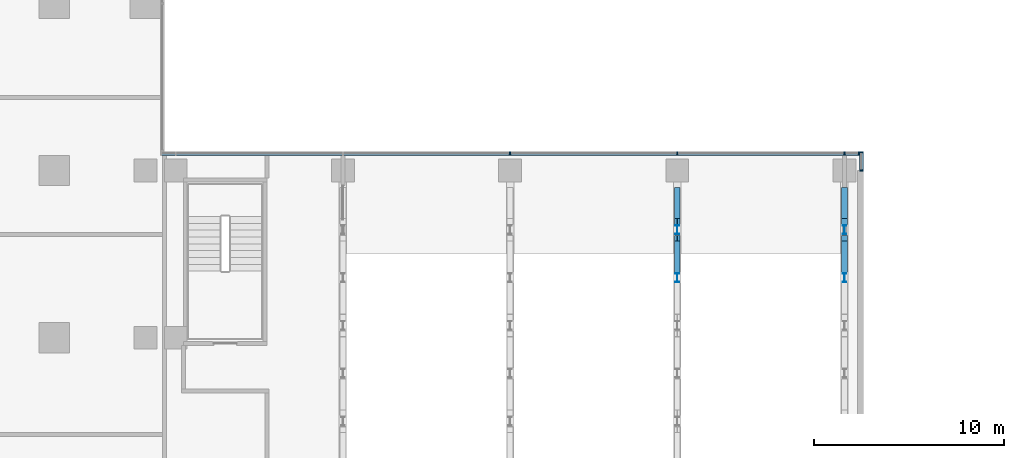
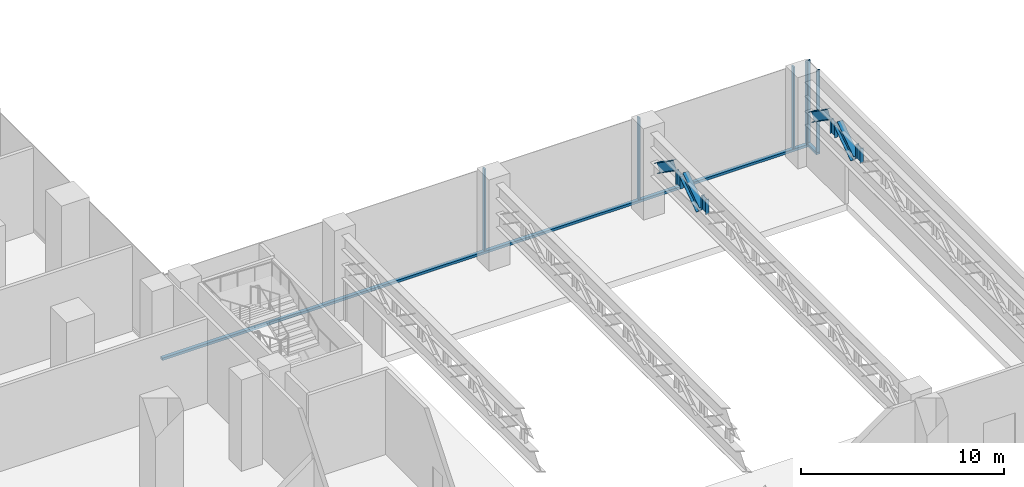
# One storey, part 9 of 30: 16 members, 2 elements without a shape of their own.
"""IFC4 building model written with IfcOpenShell, lengths in metres."""

from ifc_helpers import new_model, si_unit, direction, frame, origin, origin_2d, place, context, subcontext, project, spatial, rectangle, i_section, extrude, source, transform, mapped, material, material_profile, profile_set, type_object, element, aggregate, save


model = new_model("IFC4")

# Units and contexts
model_context = context("Model", 3, precision=1e-05, world=origin(), true_north=direction((0.0, 1.0)))
body_context = subcontext(model_context, "Body", "Model", "MODEL_VIEW")
ifc_project = project(units=[si_unit("LENGTHUNIT", "METRE"), si_unit("AREAUNIT", "SQUARE_METRE"), si_unit("VOLUMEUNIT", "CUBIC_METRE"), si_unit("PLANEANGLEUNIT", "RADIAN"), si_unit("MASSUNIT", "GRAM", prefix="KILO")], contexts=[model_context])

# Site, building, storey
site_placement = place(None, origin())
site = spatial("IfcSite", under=ifc_project, at=site_placement, CompositionType="ELEMENT")
building_placement = place(site_placement, origin())
building = spatial("IfcBuilding", under=site, at=building_placement, Name="Kemantara Hotel Tower", CompositionType="ELEMENT")
storey_placement = place(building_placement, frame((0.0, 0.0, 23.5)))
storey = spatial("IfcBuildingStorey", under=building, at=storey_placement, Name="L04", CompositionType="ELEMENT", Elevation=23.5)

# Members
ifc_material_1 = material(Name="Steel ASTM A992 Grade 50", Category="steel")
ifc_material_profile_1 = material_profile(ifc_material_1, i_section(OverallWidth=0.31201171875, OverallDepth=0.5439453125, WebThickness=0.0126953125, FlangeThickness=0.020263671875, at=origin_2d()), Name="W530X150")
ifc_profile_set_1 = profile_set([ifc_material_profile_1], Name="Steel ASTM A992 Grade 50")
member_type_1 = type_object("IfcMemberType", Name="BALLROOM ROOF TRUSS DIAGONAL W530X150", PredefinedType="BRACE", material=ifc_profile_set_1)
for number, where, z_axis, x_axis, name in (
    (1, (53.800048828125, 48.602783203125, 3.236083984375), (0.0, 0.823054254996, 0.567962756995), (-1.0, 0.0, 0.0), "BALLROOM ROOF TRUSS T3 diagonal 9"),
    (2, (53.800048828125, 52.75732421875, 3.236083984375), (0.0, -0.823054254996, 0.567962756995), (1.0, 0.0, 0.0), "BALLROOM ROOF TRUSS T3 diagonal 10"),
    (3, (62.60009765625, 48.602783203125, 3.236083984375), (0.0, 0.823054254996, 0.567962756995), (-1.0, 0.0, 0.0), "BALLROOM ROOF TRUSS T4 diagonal 9"),
    (4, (62.60009765625, 52.75732421875, 3.236083984375), (0.0, -0.823054254996, 0.567962756995), (1.0, 0.0, 0.0), "BALLROOM ROOF TRUSS T4 diagonal 10"),
):
    element("IfcMember", number, at=place(storey_placement, frame(where, z_axis=z_axis, x_axis=x_axis)), inside=storey, type_object=member_type_1, Name=name, PredefinedType="BRACE", context=body_context, shape_type="SweptSolid", body=[
        extrude(i_section(OverallWidth=0.31201171875, OverallDepth=0.5439453125, WebThickness=0.0126953125, FlangeThickness=0.020263671875, at=origin_2d()), origin(), (0.0, 0.0, 1.0), 1.98583984375),
    ])
ifc_material_profile_2 = material_profile(ifc_material_1, i_section(OverallWidth=0.193115234375, OverallDepth=0.467041015625, WebThickness=0.011474609375, FlangeThickness=0.01904296875, at=origin_2d()), Name="W460X97")
ifc_profile_set_2 = profile_set([ifc_material_profile_2], Name="Steel ASTM A992 Grade 50")
member_type_2 = type_object("IfcMemberType", Name="BALLROOM ROOF TRUSS POST W460X97", PredefinedType="POST", material=ifc_profile_set_2)
for number, where, z_axis, x_axis, name in (
    (5, (53.800048828125, 48.159912109375, 3.361083984375), (0.0, 0.0, 1.0), (1.0, 0.0, 0.0), "BALLROOM ROOF TRUSS T3 post 9"),
    (6, (53.800048828125, 50.679931640625, 3.361083984375), (0.0, 0.0, 1.0), (1.0, 0.0, 0.0), "BALLROOM ROOF TRUSS T3 post 10"),
    (7, (62.60009765625, 48.159912109375, 3.361083984375), (0.0, 0.0, 1.0), (1.0, 0.0, 0.0), "BALLROOM ROOF TRUSS T4 post 9"),
    (8, (62.60009765625, 50.679931640625, 3.361083984375), (0.0, 0.0, 1.0), (1.0, 0.0, 0.0), "BALLROOM ROOF TRUSS T4 post 10"),
):
    element("IfcMember", number, at=place(storey_placement, frame(where, z_axis=z_axis, x_axis=x_axis)), inside=storey, type_object=member_type_2, Name=name, PredefinedType="POST", context=body_context, shape_type="SweptSolid", body=[
        extrude(i_section(OverallWidth=0.193115234375, OverallDepth=0.467041015625, WebThickness=0.011474609375, FlangeThickness=0.01904296875, at=origin_2d()), origin(), (0.0, 0.0, 1.0), 0.8779296875),
    ])

# Curtain wall, member
ifc_material_2 = material(Name="Laminated tinted insulated glass 44 mm", Category="glass")
curtain_wall_type = type_object("IfcCurtainWallType", Name="PODIUM GLASS CURTAIN WALL", PredefinedType="USERDEFINED", material=ifc_material_2)
curtain_wall_1_placement = place(storey_placement, origin())
curtain_wall_1 = element("IfcCurtainWall", 9, at=curtain_wall_1_placement, inside=storey, type_object=curtain_wall_type, Name="CW1 L04 POD-R08-2", ObjectType="PODIUM GLASS CURTAIN WALL", PredefinedType="USERDEFINED")
ifc_material_3 = material(Name="Aluminium 6063-T6 bronze anodised", Category="aluminium")
ifc_material_profile_3 = material_profile(ifc_material_3, rectangle(XDim=0.199951171875, YDim=0.14990234375, at=origin_2d()), Name="PODIUM GLASS CURTAIN WALL TRANSOM")
ifc_profile_set_3 = profile_set([ifc_material_profile_3], Name="Aluminium 6063-T6 bronze anodised")
member_type_3 = type_object("IfcMemberType", Name="PODIUM GLASS CURTAIN WALL TRANSOM", PredefinedType="USERDEFINED", material=ifc_profile_set_3)
member_1_placement = place(storey_placement, frame((63.5, 53.800048828125, 0.074951171875), z_axis=(0.0, 1.0, 0.0), x_axis=(-1.0, 0.0, 0.0)))
member_1 = element("IfcMember", 10, at=member_1_placement, type_object=member_type_3, Name="CW1 sill transom POD-R08-2", ObjectType="TRANSOM", PredefinedType="USERDEFINED", context=body_context, shape_type="SweptSolid", body=[
    extrude(rectangle(XDim=0.199951171875, YDim=0.14990234375, at=origin_2d()), origin(), (0.0, 0.0, 1.0), 1.0),
])

curtain_wall_2_placement = place(storey_placement, origin())
curtain_wall_2 = element("IfcCurtainWall", 11, at=curtain_wall_2_placement, inside=storey, type_object=curtain_wall_type, Name="CW1 L04 POD-R09-1", ObjectType="PODIUM GLASS CURTAIN WALL", PredefinedType="USERDEFINED")
member_2_placement = place(storey_placement, frame((63.39990234375, 54.699951171875, 0.074951171875), z_axis=(-1.0, 0.0, 0.0), x_axis=(0.0, -1.0, 0.0)))
member_2 = element("IfcMember", 12, at=member_2_placement, type_object=member_type_3, Name="CW1 sill transom POD-R09-1", ObjectType="TRANSOM", PredefinedType="USERDEFINED", context=body_context, shape_type="SweptSolid", body=[
    extrude(rectangle(XDim=0.199951171875, YDim=0.14990234375, at=origin_2d()), origin(), (0.0, 0.0, 1.0), 36.7998046875),
])

# Member
ifc_material_profile_4 = material_profile(ifc_material_3, rectangle(XDim=0.199951171875, YDim=0.074951171875, at=origin_2d()), Name="PODIUM GLASS CURTAIN WALL MULLION")
ifc_profile_set_4 = profile_set([ifc_material_profile_4], Name="Aluminium 6063-T6 bronze anodised")
member_type_4 = type_object("IfcMemberType", Name="PODIUM GLASS CURTAIN WALL MULLION", PredefinedType="MULLION", material=ifc_profile_set_4)
shared_shape = source(origin(), body_context, "Body", "SweptSolid", [
    extrude(rectangle(XDim=0.199951171875, YDim=0.074951171875, at=origin_2d()), origin(), (0.0, 0.0, 1.0), 4.9501953125),
])
member_3_placement = place(storey_placement, frame((63.5, 53.800048828125, 0.14990234375), z_axis=(0.0, 0.0, 1.0), x_axis=(-1.0, 0.0, 0.0)))
member_3 = element("IfcMember", 13, at=member_3_placement, type_object=member_type_4, Name="CW1 mullion POD-R08-2.1", PredefinedType="MULLION", context=body_context, shape_type="MappedRepresentation", body=[
    mapped(shared_shape, transform((0.0, 0.0, 0.0))),
])

member_4_placement = place(storey_placement, frame((63.5, 54.762451171875, 0.14990234375), z_axis=(0.0, 0.0, 1.0), x_axis=(-1.0, 0.0, 0.0)))
member_4 = element("IfcMember", 14, at=member_4_placement, type_object=member_type_4, Name="CW1 mullion POD-R08-2.2", PredefinedType="MULLION", context=body_context, shape_type="MappedRepresentation", body=[
    mapped(shared_shape, transform((0.0, 0.0, 0.0))),
])

aggregate(curtain_wall_1, [member_1, member_3, member_4])

member_5_placement = place(storey_placement, frame((63.362548828125, 54.699951171875, 0.14990234375), z_axis=(0.0, 0.0, 1.0), x_axis=(0.0, -1.0, 0.0)))
member_5 = element("IfcMember", 15, at=member_5_placement, type_object=member_type_4, Name="CW1 mullion POD-R09-1.1", PredefinedType="MULLION", context=body_context, shape_type="MappedRepresentation", body=[
    mapped(shared_shape, transform((0.0, 0.0, 0.0))),
])

member_6_placement = place(storey_placement, frame((62.60009765625, 54.699951171875, 0.14990234375), z_axis=(0.0, 0.0, 1.0), x_axis=(0.0, -1.0, 0.0)))
member_6 = element("IfcMember", 16, at=member_6_placement, type_object=member_type_4, Name="CW1 mullion POD-R09-1.2", PredefinedType="MULLION", context=body_context, shape_type="MappedRepresentation", body=[
    mapped(shared_shape, transform((0.0, 0.0, 0.0))),
])

member_7_placement = place(storey_placement, frame((53.800048828125, 54.699951171875, 0.14990234375), z_axis=(0.0, 0.0, 1.0), x_axis=(0.0, -1.0, 0.0)))
member_7 = element("IfcMember", 17, at=member_7_placement, type_object=member_type_4, Name="CW1 mullion POD-R09-1.3", PredefinedType="MULLION", context=body_context, shape_type="MappedRepresentation", body=[
    mapped(shared_shape, transform((0.0, 0.0, 0.0))),
])

member_8_placement = place(storey_placement, frame((45.0, 54.699951171875, 0.14990234375), z_axis=(0.0, 0.0, 1.0), x_axis=(0.0, -1.0, 0.0)))
member_8 = element("IfcMember", 18, at=member_8_placement, type_object=member_type_4, Name="CW1 mullion POD-R09-1.4", PredefinedType="MULLION", context=body_context, shape_type="MappedRepresentation", body=[
    mapped(shared_shape, transform((0.0, 0.0, 0.0))),
])

aggregate(curtain_wall_2, [member_2, member_5, member_6, member_7, member_8])

save(model, "model.ifc")
